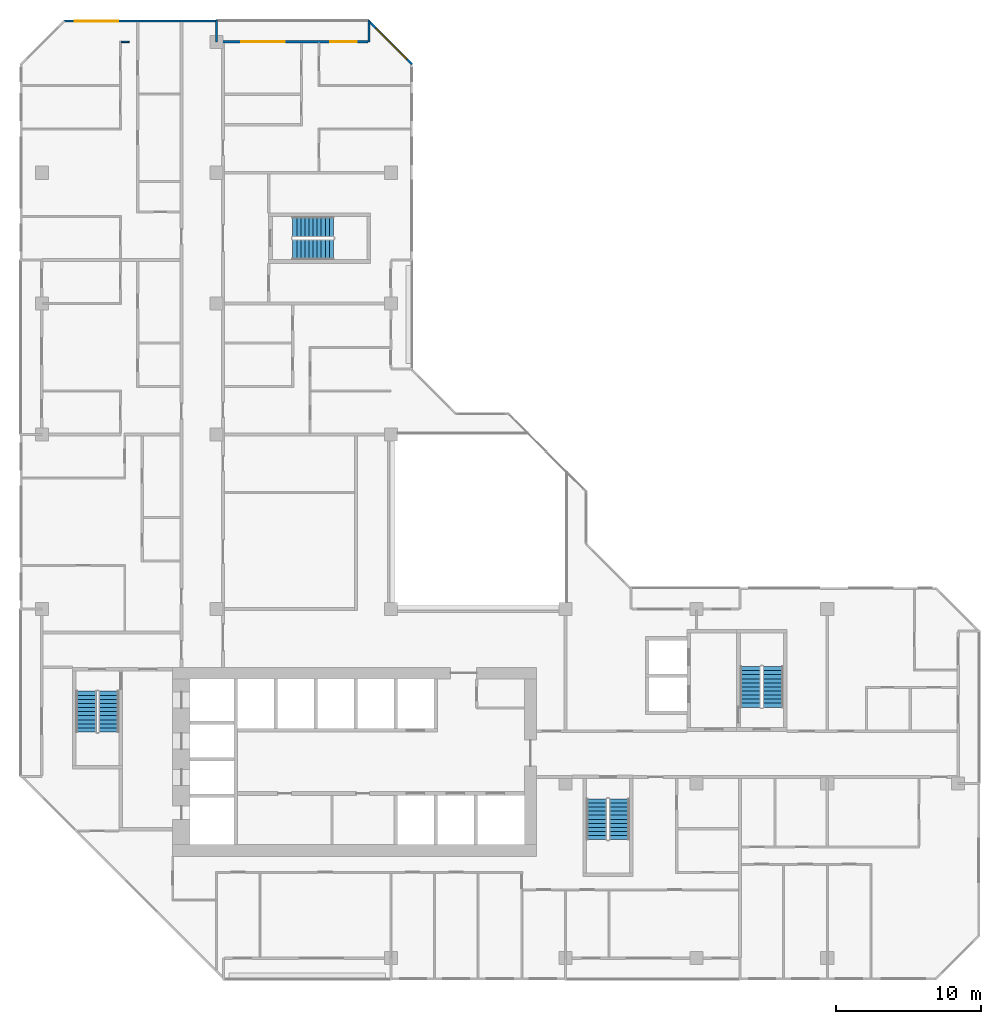
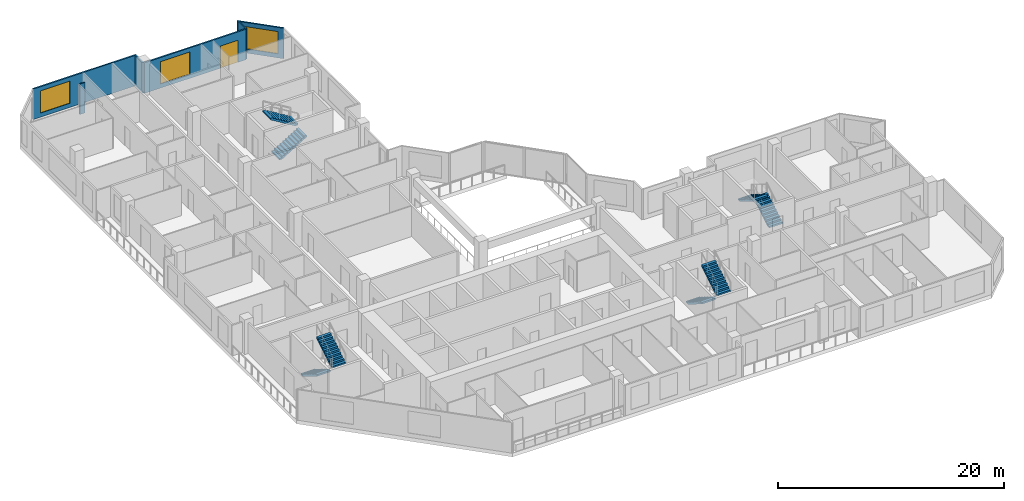
# One storey, part 13 of 15: 8 stair flights, 6 walls, 3 windows, 1 door, 4 openings, 4 elements without a shape of their own.
"""IFC4 building model written with IfcOpenShell, lengths in metres."""

from ifc_helpers import new_model, si_unit, direction, frame, frame_2d, origin, place, context, subcontext, project, spatial, polyline, rectangle, outline, extrude, material, layer, layer_set, type_object, element, fill, aggregate, save


model = new_model("IFC4")

# Units and contexts
model_context = context("Model", 3, precision=1e-05, world=origin(), true_north=direction((0.0, 1.0)))
body_context = subcontext(model_context, "Body", "Model", "MODEL_VIEW")
ifc_project = project(units=[si_unit("LENGTHUNIT", "METRE"), si_unit("AREAUNIT", "SQUARE_METRE"), si_unit("VOLUMEUNIT", "CUBIC_METRE"), si_unit("PLANEANGLEUNIT", "RADIAN"), si_unit("MASSUNIT", "GRAM", prefix="KILO")], contexts=[model_context])

# Site, building, storey
site_placement = place(None, origin())
site = spatial("IfcSite", under=ifc_project, at=site_placement, CompositionType="ELEMENT")
building_placement = place(site_placement, origin())
building = spatial("IfcBuilding", under=site, at=building_placement, Name="Chenar Terraces", CompositionType="ELEMENT")
storey_placement = place(building_placement, frame((0.0, 0.0, 202.39990234375)))
storey = spatial("IfcBuildingStorey", under=building, at=storey_placement, Name="L47", CompositionType="ELEMENT", Elevation=202.39990234375)

# Wall, opening, window
ifc_material_1 = material(Name="Aluminium framed glazing", Category="aluminium")
ifc_layer_1 = layer(ifc_material_1, 0.14990234375)
ifc_layer_set_1 = layer_set([ifc_layer_1], Name="Aluminium framed glazing")
wall_type_1 = type_object("IfcWallType", Name="Glazed flush facade wall 150", PredefinedType="SOLIDWALL", material=ifc_layer_set_1)
wall_1_placement = place(storey_placement, frame((11.925048828125, 64.425048828125, 0.0), z_axis=(0.0, 0.0, 1.0), x_axis=(-1.0, 0.0, 0.0)))
wall_1 = element("IfcWall", 1, at=wall_1_placement, inside=storey, type_object=wall_type_1, Name="Glazed flush facade wall", PredefinedType="SOLIDWALL", context=body_context, shape_type="SweptSolid", body=[
    extrude(rectangle(XDim=10.425048828125, YDim=0.14990234375, at=frame_2d((5.21240234375, 0.0))), origin(), (0.0, 0.0, 1.0), 3.300048828125),
])
opening_1_placement = place(wall_1_placement, frame((6.675048828125, 0.0, 0.449951171875)))
opening_1 = element("IfcOpeningElement", 2, at=opening_1_placement, cuts=wall_1, Name="Opening W300x240", PredefinedType="OPENING", context=body_context, shape_type="SweptSolid", body=[
    extrude(rectangle(XDim=3.0, YDim=2.39990234375, at=frame_2d((1.5, 1.199951171875))), frame((0.0, 0.0849609375, 0.0), z_axis=(0.0, -1.0, 0.0), x_axis=(1.0, 0.0, 0.0)), (0.0, 0.0, 1.0), 0.169921875),
])
ifc_material_2 = material(Name="Low emissivity double glazing, aluminium frame", Category="aluminium")
window_type = type_object("IfcWindowType", Name="Fixed light 3000 x 2400", PartitioningType="SINGLE_PANEL", PredefinedType="WINDOW", material=ifc_material_2)
window_1_placement = place(opening_1_placement, origin())
window_1 = element("IfcWindow", 3, at=window_1_placement, inside=storey, type_object=window_type, Name="Window", OverallHeight=2.39990234375, OverallWidth=3.0, PartitioningType="SINGLE_PANEL", PredefinedType="WINDOW", context=body_context, shape_type="SweptSolid", body=[
    extrude(rectangle(XDim=3.0, YDim=2.39990234375, at=frame_2d((1.5, 1.199951171875))), frame((0.0, 0.030029296875, 0.0), z_axis=(0.0, -1.0, 0.0), x_axis=(1.0, 0.0, 0.0)), (0.0, 0.0, 1.0), 0.06005859375),
])
fill(opening_1, window_1)

# Wall, openings, window, door
ifc_material_3 = material(Name="Aluminium framed glazing", Category="aluminium")
ifc_layer_2 = layer(ifc_material_3, 0.14990234375)
ifc_layer_set_2 = layer_set([ifc_layer_2], Name="Aluminium framed glazing")
wall_type_2 = type_object("IfcWallType", Name="Glazed loggia back wall 150", PredefinedType="SOLIDWALL", material=ifc_layer_set_2)
wall_2_placement = place(storey_placement, frame((22.425048828125, 63.0, 0.0), z_axis=(0.0, 0.0, 1.0), x_axis=(-1.0, 0.0, 0.0)))
wall_2 = element("IfcWall", 4, at=wall_2_placement, inside=storey, type_object=wall_type_2, Name="Glazed loggia back wall", PredefinedType="SOLIDWALL", context=body_context, shape_type="SweptSolid", body=[
    extrude(rectangle(XDim=10.35009765625, YDim=0.14990234375, at=frame_2d((5.175048828125, 0.0))), origin(), (0.0, 0.0, 1.0), 3.300048828125),
])
opening_2_placement = place(wall_2_placement, frame((0.78759765625, 0.0, 0.0)))
opening_2 = element("IfcOpeningElement", 5, at=opening_2_placement, cuts=wall_2, Name="Opening DL47-G2", PredefinedType="OPENING", context=body_context, shape_type="SweptSolid", body=[
    extrude(rectangle(XDim=1.800048828125, YDim=2.39990234375, at=frame_2d((0.89990234375, 1.199951171875))), frame((0.0, 0.0849609375, 0.0), z_axis=(0.0, -1.0, 0.0), x_axis=(1.0, 0.0, 0.0)), (0.0, 0.0, 1.0), 0.169921875),
])
opening_3_placement = place(wall_2_placement, frame((5.72509765625, 0.0, 0.449951171875)))
opening_3 = element("IfcOpeningElement", 6, at=opening_3_placement, cuts=wall_2, Name="Opening W300x240", PredefinedType="OPENING", context=body_context, shape_type="SweptSolid", body=[
    extrude(rectangle(XDim=3.0, YDim=2.39990234375, at=frame_2d((1.5, 1.199951171875))), frame((0.0, 0.0849609375, 0.0), z_axis=(0.0, -1.0, 0.0), x_axis=(1.0, 0.0, 0.0)), (0.0, 0.0, 1.0), 0.169921875),
])
window_2_placement = place(opening_3_placement, origin())
window_2 = element("IfcWindow", 7, at=window_2_placement, inside=storey, type_object=window_type, Name="Window", OverallHeight=2.39990234375, OverallWidth=3.0, PartitioningType="SINGLE_PANEL", PredefinedType="WINDOW", context=body_context, shape_type="SweptSolid", body=[
    extrude(rectangle(XDim=3.0, YDim=2.39990234375, at=frame_2d((1.5, 1.199951171875))), frame((0.0, 0.030029296875, 0.0), z_axis=(0.0, -1.0, 0.0), x_axis=(1.0, 0.0, 0.0)), (0.0, 0.0, 1.0), 0.06005859375),
])
fill(opening_3, window_2)
ifc_material_4 = material(Name="Low emissivity double glazing, aluminium frame", Category="aluminium")
door_type = type_object("IfcDoorType", Name="Loggia glazed double door 1800 x 2400", OperationType="DOUBLE_DOOR_SINGLE_SWING", PredefinedType="DOOR", material=ifc_material_4)
door_placement = place(opening_2_placement, frame((1.800048828125, 0.0, 0.0), z_axis=(0.0, 0.0, 1.0), x_axis=(-1.0, 0.0, 0.0)))
door = element("IfcDoor", 8, at=door_placement, inside=storey, type_object=door_type, Name="Loggia glazed door", OperationType="DOUBLE_DOOR_SINGLE_SWING", OverallHeight=2.39990234375, OverallWidth=1.800048828125, PredefinedType="DOOR", context=body_context, shape_type="SweptSolid", body=[
    extrude(rectangle(XDim=1.800048828125, YDim=2.39990234375, at=frame_2d((0.89990234375, 1.199951171875))), frame((0.0, 0.02490234375, 0.0), z_axis=(0.0, -1.0, 0.0), x_axis=(1.0, 0.0, 0.0)), (0.0, 0.0, 1.0), 0.050048828125),
])
fill(opening_2, door)

# Walls
ifc_material_5 = material(Name="Gypsum board on steel studs", Category="steel")
ifc_layer_3 = layer(ifc_material_5, 0.10009765625)
ifc_layer_set_3 = layer_set([ifc_layer_3], Name="Gypsum board on steel studs")
wall_type_3 = type_object("IfcWallType", Name="Gypsum partition 100", PredefinedType="PARTITIONING", material=ifc_layer_set_3)
wall_3_placement = place(storey_placement, frame((5.449951171875, 63.0, 0.0), z_axis=(0.0, 0.0, 1.0), x_axis=(1.0, 0.0, 0.0)))
element("IfcWall", 9, at=wall_3_placement, inside=storey, type_object=wall_type_3, Name="Partition L47-017", PredefinedType="PARTITIONING", context=body_context, shape_type="SweptSolid", body=[
    extrude(rectangle(XDim=0.550048828125, YDim=0.10009765625, at=frame_2d((0.27490234375, 0.0))), origin(), (0.0, 0.0, 1.0), 3.300048828125),
])
ifc_material_6 = material(Name="Terracotta cladding on insulated backing", Category="masonry")
ifc_layer_4 = layer(ifc_material_6, 0.14990234375)
ifc_layer_set_4 = layer_set([ifc_layer_4], Name="Terracotta cladding on insulated backing")
wall_type_4 = type_object("IfcWallType", Name="Loggia return wall 150", PredefinedType="SOLIDWALL", material=ifc_layer_set_4)
for number, where, z_axis, x_axis, name in (
    (10, (22.5, 64.5, 0.0), (0.0, 0.0, 1.0), (0.0, -1.0, 0.0), "Loggia return wall"),
    (11, (12.0, 64.5, 0.0), (0.0, 0.0, 1.0), (0.0, -1.0, 0.0), "Loggia return wall"),
):
    element("IfcWall", number, at=place(storey_placement, frame(where, z_axis=z_axis, x_axis=x_axis)), inside=storey, type_object=wall_type_4, Name=name, PredefinedType="SOLIDWALL", context=body_context, shape_type="SweptSolid", body=[
        extrude(rectangle(XDim=1.5, YDim=0.14990234375, at=frame_2d((0.75, 0.0))), origin(), (0.0, 0.0, 1.0), 3.300048828125),
    ])

# Wall, opening, window
ifc_material_7 = material(Name="Terracotta cladding on insulated backing", Category="masonry")
ifc_layer_5 = layer(ifc_material_7, 0.14990234375)
ifc_layer_set_5 = layer_set([ifc_layer_5], Name="Terracotta cladding on insulated backing")
wall_type_5 = type_object("IfcWallType", Name="Terracotta rainscreen wall 150", PredefinedType="SOLIDWALL", material=ifc_layer_set_5)
wall_4_placement = place(storey_placement, frame((25.447021484375, 61.447021484375, 0.0), z_axis=(0.0, 0.0, 1.0), x_axis=(-0.707106781187, 0.707106781187, 0.0)))
wall_4 = element("IfcWall", 12, at=wall_4_placement, inside=storey, type_object=wall_type_5, Name="Terracotta rainscreen wall", PredefinedType="SOLIDWALL", context=body_context, shape_type="SweptSolid", body=[
    extrude(rectangle(XDim=4.24267578125, YDim=0.14990234375, at=frame_2d((2.121337890625, 0.0))), origin(), (0.0, 0.0, 1.0), 3.300048828125),
])
opening_4_placement = place(wall_4_placement, frame((0.498046875, 0.0, 0.449951171875)))
opening_4 = element("IfcOpeningElement", 13, at=opening_4_placement, cuts=wall_4, Name="Opening W300x240", PredefinedType="OPENING", context=body_context, shape_type="SweptSolid", body=[
    extrude(rectangle(XDim=3.0, YDim=2.39990234375, at=frame_2d((1.5, 1.199951171875))), frame((0.0, 0.0849609375, 0.0), z_axis=(0.0, -1.0, 0.0), x_axis=(1.0, 0.0, 0.0)), (0.0, 0.0, 1.0), 0.169921875),
])
window_3_placement = place(opening_4_placement, origin())
window_3 = element("IfcWindow", 14, at=window_3_placement, inside=storey, type_object=window_type, Name="Window", OverallHeight=2.39990234375, OverallWidth=3.0, PartitioningType="SINGLE_PANEL", PredefinedType="WINDOW", context=body_context, shape_type="SweptSolid", body=[
    extrude(rectangle(XDim=3.0, YDim=2.39990234375, at=frame_2d((1.5, 1.199951171875))), frame((0.0, 0.030029296875, 0.0), z_axis=(0.0, -1.0, 0.0), x_axis=(1.0, 0.0, 0.0)), (0.0, 0.0, 1.0), 0.06005859375),
])
fill(opening_4, window_3)

# Stair, stair flights
ifc_material_8 = material(Name="Reinforced concrete C40/50", Category="concrete")
stair_type = type_object("IfcStairType", Name="Core stair 1400 half-turn", PredefinedType="HALF_TURN_STAIR", material=ifc_material_8)
placement = place(storey_placement, origin())
stair_1 = element("IfcStair", 15, at=placement, inside=storey, type_object=stair_type, Name="L47 Stair 1", PredefinedType="HALF_TURN_STAIR")
ifc_material_9 = material(Name="Reinforced concrete C40/50", Category="concrete")
stair_flight_type = type_object("IfcStairFlightType", Name="Core stair flight 1400", PredefinedType="STRAIGHT", material=ifc_material_9)
stair_flight_1_placement = place(storey_placement, frame((3.050048828125, 18.35009765625, 0.0), z_axis=(0.0, 0.0, 1.0), x_axis=(0.0, -1.0, 0.0)))
stair_flight_1 = element("IfcStairFlight", 16, at=stair_flight_1_placement, type_object=stair_flight_type, Name="ST1 flight 1", NumberOfRisers=11, NumberOfTreads=10, PredefinedType="STRAIGHT", RiserHeight=0.170454545, TreadLength=0.28, context=body_context, shape_type="SweptSolid", body=[
    extrude(outline(polyline([(-0.0029296875, 0.0), (-0.0029296875, 0.17041015625), (0.0, 0.17041015625), (0.280029296875, 0.17041015625), (0.280029296875, 0.3408203125), (0.56005859375, 0.3408203125), (0.56005859375, 0.511474609375), (0.840087890625, 0.511474609375), (0.840087890625, 0.681884765625), (1.1201171875, 0.681884765625), (1.1201171875, 0.852294921875), (1.39990234375, 0.852294921875), (1.39990234375, 1.022705078125), (1.679931640625, 1.022705078125), (1.679931640625, 1.193115234375), (1.9599609375, 1.193115234375), (1.9599609375, 1.363525390625), (2.239990234375, 1.363525390625), (2.239990234375, 1.5341796875), (2.52001953125, 1.5341796875), (2.52001953125, 1.70458984375), (2.800048828125, 1.70458984375), (2.802978515625, 1.70458984375), (2.802978515625, 1.529052734375), (2.800048828125, 1.529052734375), (0.288330078125, 0.0), (-0.0029296875, 0.0)])), frame((0.0, 0.699951171875, 0.0), z_axis=(0.0, -1.0, 0.0), x_axis=(1.0, 0.0, 0.0)), (0.0, 0.0, 1.0), 1.39990234375),
])
stair_flight_2_placement = place(storey_placement, frame((4.60009765625, 15.550048828125, 1.875), z_axis=(0.0, 0.0, 1.0), x_axis=(0.0, 1.0, 0.0)))
stair_flight_2 = element("IfcStairFlight", 17, at=stair_flight_2_placement, type_object=stair_flight_type, Name="ST1 flight 2", NumberOfRisers=11, NumberOfTreads=10, PredefinedType="STRAIGHT", RiserHeight=0.170454545, TreadLength=0.28, context=body_context, shape_type="SweptSolid", body=[
    extrude(outline(polyline([(-0.0029296875, 0.0), (-0.0029296875, 0.17041015625), (0.0, 0.17041015625), (0.280029296875, 0.17041015625), (0.280029296875, 0.3408203125), (0.56005859375, 0.3408203125), (0.56005859375, 0.511474609375), (0.840087890625, 0.511474609375), (0.840087890625, 0.681884765625), (1.1201171875, 0.681884765625), (1.1201171875, 0.852294921875), (1.39990234375, 0.852294921875), (1.39990234375, 1.022705078125), (1.679931640625, 1.022705078125), (1.679931640625, 1.193115234375), (1.9599609375, 1.193115234375), (1.9599609375, 1.363525390625), (2.239990234375, 1.363525390625), (2.239990234375, 1.5341796875), (2.52001953125, 1.5341796875), (2.52001953125, 1.70458984375), (2.800048828125, 1.70458984375), (2.802978515625, 1.70458984375), (2.802978515625, 1.529052734375), (2.800048828125, 1.529052734375), (0.288330078125, 0.0), (-0.0029296875, 0.0)])), frame((0.0, 0.699951171875, 0.0), z_axis=(0.0, -1.0, 0.0), x_axis=(1.0, 0.0, 0.0)), (0.0, 0.0, 1.0), 1.39990234375),
])
aggregate(stair_1, [stair_flight_1, stair_flight_2])

stair_2 = element("IfcStair", 18, at=placement, inside=storey, type_object=stair_type, Name="L47 Stair 2", PredefinedType="HALF_TURN_STAIR")
stair_flight_3_placement = place(storey_placement, frame((38.14990234375, 10.949951171875, 0.0), z_axis=(0.0, 0.0, 1.0), x_axis=(0.0, -1.0, 0.0)))
stair_flight_3 = element("IfcStairFlight", 19, at=stair_flight_3_placement, type_object=stair_flight_type, Name="ST2 flight 1", NumberOfRisers=11, NumberOfTreads=10, PredefinedType="STRAIGHT", RiserHeight=0.170454545, TreadLength=0.28, context=body_context, shape_type="SweptSolid", body=[
    extrude(outline(polyline([(-0.0029296875, 0.0), (-0.0029296875, 0.17041015625), (0.0, 0.17041015625), (0.280029296875, 0.17041015625), (0.280029296875, 0.3408203125), (0.56005859375, 0.3408203125), (0.56005859375, 0.511474609375), (0.840087890625, 0.511474609375), (0.840087890625, 0.681884765625), (1.1201171875, 0.681884765625), (1.1201171875, 0.852294921875), (1.39990234375, 0.852294921875), (1.39990234375, 1.022705078125), (1.679931640625, 1.022705078125), (1.679931640625, 1.193115234375), (1.9599609375, 1.193115234375), (1.9599609375, 1.363525390625), (2.239990234375, 1.363525390625), (2.239990234375, 1.5341796875), (2.52001953125, 1.5341796875), (2.52001953125, 1.70458984375), (2.800048828125, 1.70458984375), (2.802978515625, 1.70458984375), (2.802978515625, 1.529052734375), (2.800048828125, 1.529052734375), (0.288330078125, 0.0), (-0.0029296875, 0.0)])), frame((0.0, 0.699951171875, 0.0), z_axis=(0.0, -1.0, 0.0), x_axis=(1.0, 0.0, 0.0)), (0.0, 0.0, 1.0), 1.39990234375),
])
stair_flight_4_placement = place(storey_placement, frame((39.699951171875, 8.14990234375, 1.875), z_axis=(0.0, 0.0, 1.0), x_axis=(0.0, 1.0, 0.0)))
stair_flight_4 = element("IfcStairFlight", 20, at=stair_flight_4_placement, type_object=stair_flight_type, Name="ST2 flight 2", NumberOfRisers=11, NumberOfTreads=10, PredefinedType="STRAIGHT", RiserHeight=0.170454545, TreadLength=0.28, context=body_context, shape_type="SweptSolid", body=[
    extrude(outline(polyline([(-0.0029296875, 0.0), (-0.0029296875, 0.17041015625), (0.0, 0.17041015625), (0.280029296875, 0.17041015625), (0.280029296875, 0.3408203125), (0.56005859375, 0.3408203125), (0.56005859375, 0.511474609375), (0.840087890625, 0.511474609375), (0.840087890625, 0.681884765625), (1.1201171875, 0.681884765625), (1.1201171875, 0.852294921875), (1.39990234375, 0.852294921875), (1.39990234375, 1.022705078125), (1.679931640625, 1.022705078125), (1.679931640625, 1.193115234375), (1.9599609375, 1.193115234375), (1.9599609375, 1.363525390625), (2.239990234375, 1.363525390625), (2.239990234375, 1.5341796875), (2.52001953125, 1.5341796875), (2.52001953125, 1.70458984375), (2.800048828125, 1.70458984375), (2.802978515625, 1.70458984375), (2.802978515625, 1.529052734375), (2.800048828125, 1.529052734375), (0.288330078125, 0.0), (-0.0029296875, 0.0)])), frame((0.0, 0.699951171875, 0.0), z_axis=(0.0, -1.0, 0.0), x_axis=(1.0, 0.0, 0.0)), (0.0, 0.0, 1.0), 1.39990234375),
])
aggregate(stair_2, [stair_flight_3, stair_flight_4])

stair_3 = element("IfcStair", 21, at=placement, inside=storey, type_object=stair_type, Name="L47 Stair 3", PredefinedType="HALF_TURN_STAIR")
stair_flight_5_placement = place(storey_placement, frame((50.27490234375, 17.25, 0.0), z_axis=(0.0, 0.0, 1.0), x_axis=(0.0, 1.0, 0.0)))
stair_flight_5 = element("IfcStairFlight", 22, at=stair_flight_5_placement, type_object=stair_flight_type, Name="ST3 flight 1", NumberOfRisers=11, NumberOfTreads=10, PredefinedType="STRAIGHT", RiserHeight=0.170454545, TreadLength=0.28, context=body_context, shape_type="SweptSolid", body=[
    extrude(outline(polyline([(-0.0029296875, 0.0), (-0.0029296875, 0.17041015625), (0.0, 0.17041015625), (0.280029296875, 0.17041015625), (0.280029296875, 0.3408203125), (0.56005859375, 0.3408203125), (0.56005859375, 0.511474609375), (0.840087890625, 0.511474609375), (0.840087890625, 0.681884765625), (1.1201171875, 0.681884765625), (1.1201171875, 0.852294921875), (1.39990234375, 0.852294921875), (1.39990234375, 1.022705078125), (1.679931640625, 1.022705078125), (1.679931640625, 1.193115234375), (1.9599609375, 1.193115234375), (1.9599609375, 1.363525390625), (2.239990234375, 1.363525390625), (2.239990234375, 1.5341796875), (2.52001953125, 1.5341796875), (2.52001953125, 1.70458984375), (2.800048828125, 1.70458984375), (2.802978515625, 1.70458984375), (2.802978515625, 1.529052734375), (2.800048828125, 1.529052734375), (0.288330078125, 0.0), (-0.0029296875, 0.0)])), frame((0.0, 0.699951171875, 0.0), z_axis=(0.0, -1.0, 0.0), x_axis=(1.0, 0.0, 0.0)), (0.0, 0.0, 1.0), 1.39990234375),
])
stair_flight_6_placement = place(storey_placement, frame((48.72509765625, 20.050048828125, 1.875), z_axis=(0.0, 0.0, 1.0), x_axis=(0.0, -1.0, 0.0)))
stair_flight_6 = element("IfcStairFlight", 23, at=stair_flight_6_placement, type_object=stair_flight_type, Name="ST3 flight 2", NumberOfRisers=11, NumberOfTreads=10, PredefinedType="STRAIGHT", RiserHeight=0.170454545, TreadLength=0.28, context=body_context, shape_type="SweptSolid", body=[
    extrude(outline(polyline([(-0.0029296875, 0.0), (-0.0029296875, 0.17041015625), (0.0, 0.17041015625), (0.280029296875, 0.17041015625), (0.280029296875, 0.3408203125), (0.56005859375, 0.3408203125), (0.56005859375, 0.511474609375), (0.840087890625, 0.511474609375), (0.840087890625, 0.681884765625), (1.1201171875, 0.681884765625), (1.1201171875, 0.852294921875), (1.39990234375, 0.852294921875), (1.39990234375, 1.022705078125), (1.679931640625, 1.022705078125), (1.679931640625, 1.193115234375), (1.9599609375, 1.193115234375), (1.9599609375, 1.363525390625), (2.239990234375, 1.363525390625), (2.239990234375, 1.5341796875), (2.52001953125, 1.5341796875), (2.52001953125, 1.70458984375), (2.800048828125, 1.70458984375), (2.802978515625, 1.70458984375), (2.802978515625, 1.529052734375), (2.800048828125, 1.529052734375), (0.288330078125, 0.0), (-0.0029296875, 0.0)])), frame((0.0, 0.699951171875, 0.0), z_axis=(0.0, -1.0, 0.0), x_axis=(1.0, 0.0, 0.0)), (0.0, 0.0, 1.0), 1.39990234375),
])
aggregate(stair_3, [stair_flight_5, stair_flight_6])

stair_4 = element("IfcStair", 24, at=placement, inside=storey, type_object=stair_type, Name="L47 Stair 4", PredefinedType="HALF_TURN_STAIR")
stair_flight_7_placement = place(storey_placement, frame((17.25, 48.72509765625, 0.0), z_axis=(0.0, 0.0, 1.0), x_axis=(1.0, 0.0, 0.0)))
stair_flight_7 = element("IfcStairFlight", 25, at=stair_flight_7_placement, type_object=stair_flight_type, Name="ST4 flight 1", NumberOfRisers=11, NumberOfTreads=10, PredefinedType="STRAIGHT", RiserHeight=0.170454545, TreadLength=0.28, context=body_context, shape_type="SweptSolid", body=[
    extrude(outline(polyline([(-0.0029296875, 0.0), (-0.0029296875, 0.17041015625), (0.0, 0.17041015625), (0.280029296875, 0.17041015625), (0.280029296875, 0.3408203125), (0.56005859375, 0.3408203125), (0.56005859375, 0.511474609375), (0.840087890625, 0.511474609375), (0.840087890625, 0.681884765625), (1.1201171875, 0.681884765625), (1.1201171875, 0.852294921875), (1.39990234375, 0.852294921875), (1.39990234375, 1.022705078125), (1.679931640625, 1.022705078125), (1.679931640625, 1.193115234375), (1.9599609375, 1.193115234375), (1.9599609375, 1.363525390625), (2.239990234375, 1.363525390625), (2.239990234375, 1.5341796875), (2.52001953125, 1.5341796875), (2.52001953125, 1.70458984375), (2.800048828125, 1.70458984375), (2.802978515625, 1.70458984375), (2.802978515625, 1.529052734375), (2.800048828125, 1.529052734375), (0.288330078125, 0.0), (-0.0029296875, 0.0)])), frame((0.0, 0.699951171875, 0.0), z_axis=(0.0, -1.0, 0.0), x_axis=(1.0, 0.0, 0.0)), (0.0, 0.0, 1.0), 1.39990234375),
])
stair_flight_8_placement = place(storey_placement, frame((20.050048828125, 50.27490234375, 1.875), z_axis=(0.0, 0.0, 1.0), x_axis=(-1.0, 0.0, 0.0)))
stair_flight_8 = element("IfcStairFlight", 26, at=stair_flight_8_placement, type_object=stair_flight_type, Name="ST4 flight 2", NumberOfRisers=11, NumberOfTreads=10, PredefinedType="STRAIGHT", RiserHeight=0.170454545, TreadLength=0.28, context=body_context, shape_type="SweptSolid", body=[
    extrude(outline(polyline([(-0.0029296875, 0.0), (-0.0029296875, 0.17041015625), (0.0, 0.17041015625), (0.280029296875, 0.17041015625), (0.280029296875, 0.3408203125), (0.56005859375, 0.3408203125), (0.56005859375, 0.511474609375), (0.840087890625, 0.511474609375), (0.840087890625, 0.681884765625), (1.1201171875, 0.681884765625), (1.1201171875, 0.852294921875), (1.39990234375, 0.852294921875), (1.39990234375, 1.022705078125), (1.679931640625, 1.022705078125), (1.679931640625, 1.193115234375), (1.9599609375, 1.193115234375), (1.9599609375, 1.363525390625), (2.239990234375, 1.363525390625), (2.239990234375, 1.5341796875), (2.52001953125, 1.5341796875), (2.52001953125, 1.70458984375), (2.800048828125, 1.70458984375), (2.802978515625, 1.70458984375), (2.802978515625, 1.529052734375), (2.800048828125, 1.529052734375), (0.288330078125, 0.0), (-0.0029296875, 0.0)])), frame((0.0, 0.699951171875, 0.0), z_axis=(0.0, -1.0, 0.0), x_axis=(1.0, 0.0, 0.0)), (0.0, 0.0, 1.0), 1.39990234375),
])
aggregate(stair_4, [stair_flight_7, stair_flight_8])

save(model, "model.ifc")
